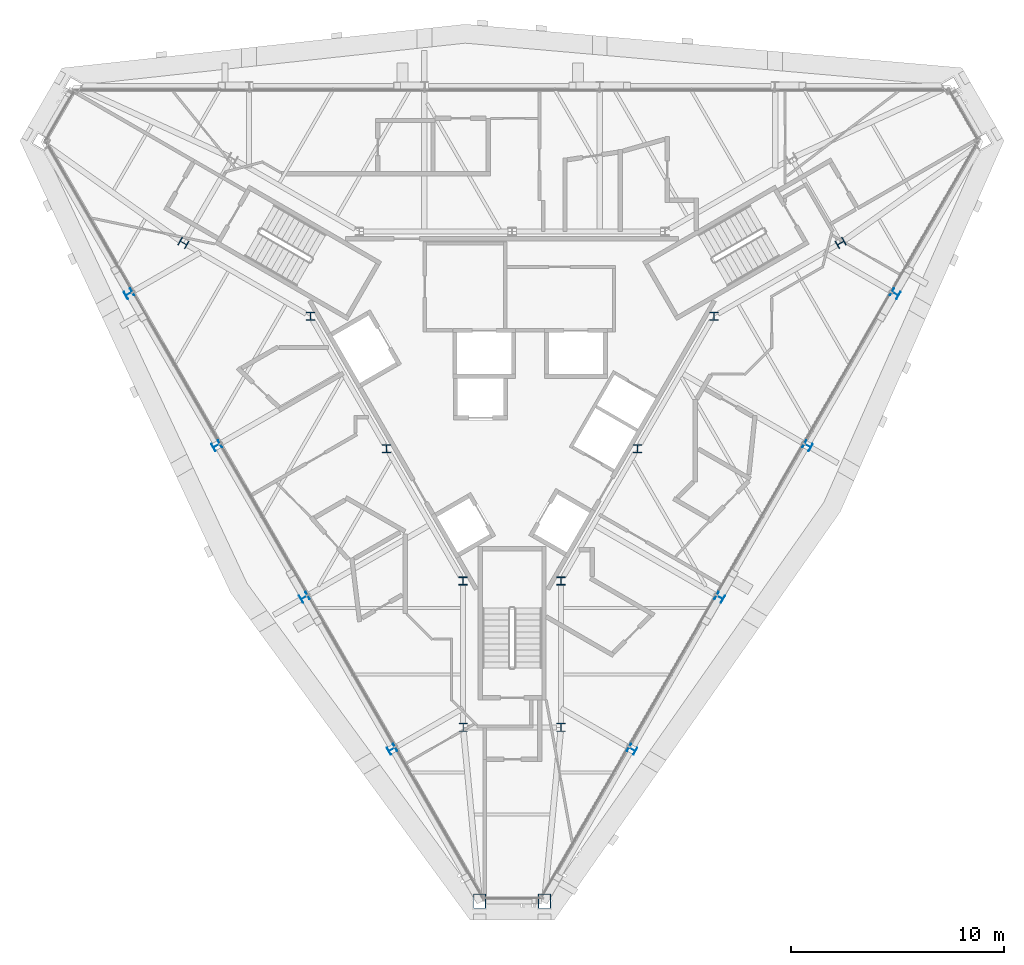
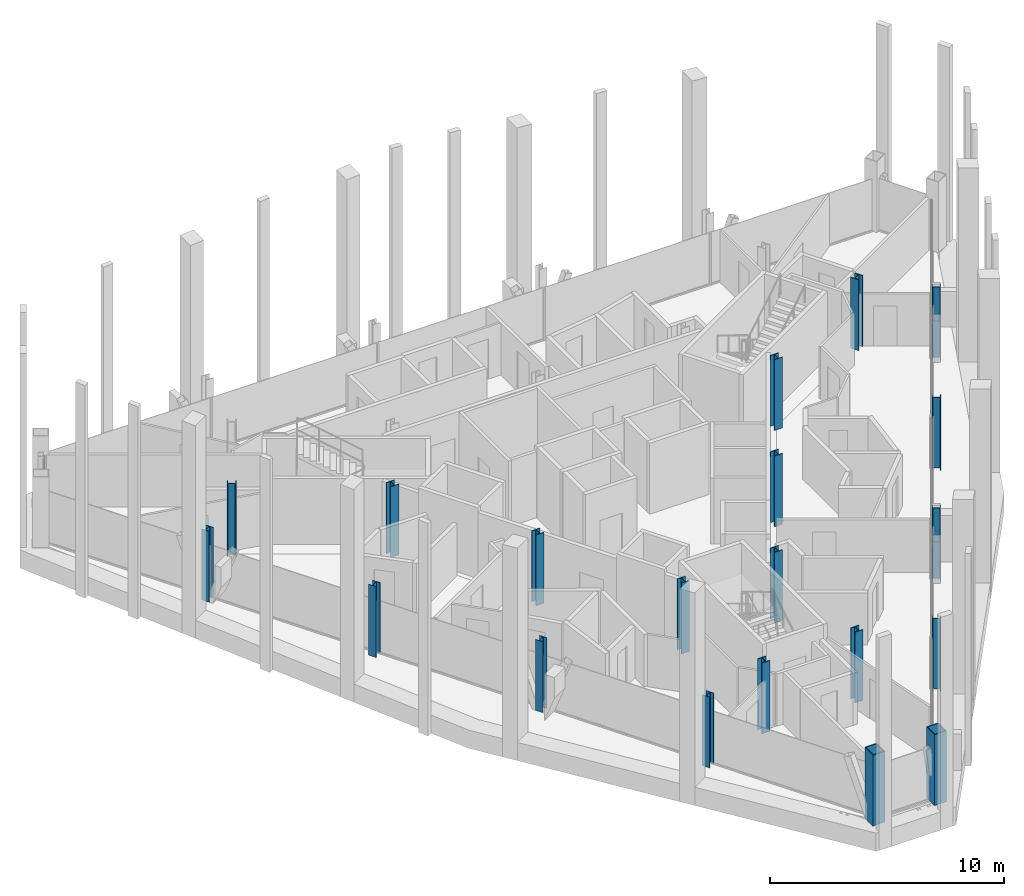
# One storey, part 1 of 13: 20 columns.
"""IFC4 building model written with IfcOpenShell, lengths in metres."""

from ifc_helpers import new_model, si_unit, direction, frame, origin, origin_2d, place, context, subcontext, project, spatial, hollow_rectangle, i_section, extrude, material, material_profile, profile_set, type_object, element, save


model = new_model("IFC4")

# Units and contexts
model_context = context("Model", 3, precision=1e-05, world=origin(), true_north=direction((0.0, 1.0)))
body_context = subcontext(model_context, "Body", "Model", "MODEL_VIEW")
ifc_project = project(units=[si_unit("LENGTHUNIT", "METRE"), si_unit("AREAUNIT", "SQUARE_METRE"), si_unit("VOLUMEUNIT", "CUBIC_METRE"), si_unit("PLANEANGLEUNIT", "RADIAN"), si_unit("MASSUNIT", "GRAM", prefix="KILO")], contexts=[model_context])

# Site, building, storey
site_placement = place(None, origin())
site = spatial("IfcSite", under=ifc_project, at=site_placement, CompositionType="ELEMENT")
building_placement = place(site_placement, origin())
building = spatial("IfcBuilding", under=site, at=building_placement, Name="Verrane Prism Tower", CompositionType="ELEMENT")
storey_placement = place(building_placement, frame((0.0, 0.0, 286.199951171875)))
storey = spatial("IfcBuildingStorey", under=building, at=storey_placement, Name="L72", CompositionType="ELEMENT", Elevation=286.199951171875)

# Columns
ifc_material_1 = material(Name="Steel A992", Category="steel")
ifc_material_profile_1 = material_profile(ifc_material_1, i_section(OverallWidth=0.4013671875, OverallDepth=0.398681640625, WebThickness=0.02490234375, FlangeThickness=0.03955078125, FilletRadius=0.01513671875, at=origin_2d()), Name="W14x211")
ifc_profile_set_1 = profile_set([ifc_material_profile_1], Name="Steel A992")
column_type_1 = type_object("IfcColumnType", Name="Core corner column W14x211", PredefinedType="COLUMN", material=ifc_profile_set_1)
for number, where, z_axis, x_axis, name in (
    (1, (15.43994140625, 6.260009765625, 0.0), (0.0, 0.0, 1.0), (0.5, -0.866025403784, 0.0), "Core corner column CK-NEm L72"),
    (2, (-15.43994140625, 6.260009765625, 0.0), (0.0, 0.0, 1.0), (0.5, 0.866025403784, 0.0), "Core corner column CK-NWp L72"),
    (3, (-2.300048828125, -16.5, 0.0), (0.0, 0.0, 1.0), (-1.0, 0.0, 0.0), "Core corner column CK-Sm L72"),
    (4, (2.300048828125, -16.5, 0.0), (0.0, 0.0, 1.0), (-1.0, 0.0, 0.0), "Core corner column CK-Sp L72"),
):
    element("IfcColumn", number, at=place(storey_placement, frame(where, z_axis=z_axis, x_axis=x_axis)), inside=storey, type_object=column_type_1, Name=name, PredefinedType="COLUMN", context=body_context, shape_type="SweptSolid", body=[
        extrude(i_section(OverallWidth=0.4013671875, OverallDepth=0.398681640625, WebThickness=0.02490234375, FlangeThickness=0.03955078125, FilletRadius=0.01513671875, at=origin_2d()), origin(), (0.0, 0.0, 1.0), 3.699951171875),
    ])
ifc_material_2 = material(Name="Steel A992", Category="steel")
ifc_material_profile_2 = material_profile(ifc_material_2, i_section(OverallWidth=0.398681640625, OverallDepth=0.385986328125, WebThickness=0.02099609375, FlangeThickness=0.033203125, FilletRadius=0.01513671875, at=origin_2d()), Name="W14x176")
ifc_profile_set_2 = profile_set([ifc_material_profile_2], Name="Steel A992")
column_type_2 = type_object("IfcColumnType", Name="Core side column W14x176", PredefinedType="COLUMN", material=ifc_profile_set_2)
for number, where, z_axis, x_axis, name in (
    (5, (9.47998046875, 2.820068359375, 0.0), (0.0, 0.0, 1.0), (1.0, 0.0, 0.0), "Core side column CC-NEm L72"),
    (6, (-9.47998046875, 2.820068359375, 0.0), (0.0, 0.0, 1.0), (1.0, 0.0, 0.0), "Core side column CC-NWp L72"),
    (7, (-5.889892578125, -3.39990234375, 0.0), (0.0, 0.0, 1.0), (1.0, 0.0, 0.0), "Core side column CC-SW0 L72"),
    (8, (-2.300048828125, -9.6201171875, 0.0), (0.0, 0.0, 1.0), (1.0, 0.0, 0.0), "Core side column CC-Sm L72"),
    (9, (2.300048828125, -9.6201171875, 0.0), (0.0, 0.0, 1.0), (1.0, 0.0, 0.0), "Core side column CC-Sp L72"),
    (10, (5.889892578125, -3.39990234375, 0.0), (0.0, 0.0, 1.0), (1.0, 0.0, 0.0), "Core side column CC-SE0 L72"),
):
    element("IfcColumn", number, at=place(storey_placement, frame(where, z_axis=z_axis, x_axis=x_axis)), inside=storey, type_object=column_type_2, Name=name, PredefinedType="COLUMN", context=body_context, shape_type="SweptSolid", body=[
        extrude(i_section(OverallWidth=0.398681640625, OverallDepth=0.385986328125, WebThickness=0.02099609375, FlangeThickness=0.033203125, FilletRadius=0.01513671875, at=origin_2d()), origin(), (0.0, 0.0, 1.0), 3.699951171875),
    ])
ifc_material_3 = material(Name="Steel A572 Grade 50", Category="steel")
ifc_material_profile_3 = material_profile(ifc_material_3, hollow_rectangle(XDim=0.60009765625, YDim=0.699951171875, WallThickness=0.0400390625, at=origin_2d()), Name="BOX 700x600x40")
ifc_profile_set_3 = profile_set([ifc_material_profile_3], Name="Steel A572 Grade 50")
column_type_3 = type_object("IfcColumnType", Name="Megacolumn BOX 700x600x40", PredefinedType="COLUMN", material=ifc_profile_set_3)
for number, where, z_axis, x_axis, name in (
    (11, (-1.52001953125, -24.669921875, 0.0), (0.0, 0.0, 1.0), (-1.0, 0.0, 0.0), "Megacolumn MC-S.a L72"),
    (12, (1.52001953125, -24.669921875, 0.0), (0.0, 0.0, 1.0), (-1.0, 0.0, 0.0), "Megacolumn MC-S.b L72"),
):
    element("IfcColumn", number, at=place(storey_placement, frame(where, z_axis=z_axis, x_axis=x_axis)), inside=storey, type_object=column_type_3, Name=name, PredefinedType="COLUMN", context=body_context, shape_type="SweptSolid", body=[
        extrude(hollow_rectangle(XDim=0.60009765625, YDim=0.699951171875, WallThickness=0.0400390625, at=origin_2d()), origin(), (0.0, 0.0, 1.0), 3.699951171875),
    ])
ifc_material_4 = material(Name="Steel A992", Category="steel")
ifc_material_profile_4 = material_profile(ifc_material_4, i_section(OverallWidth=0.373291015625, OverallDepth=0.368408203125, WebThickness=0.014892578125, FlangeThickness=0.02392578125, FilletRadius=0.01513671875, at=origin_2d()), Name="W14x120")
ifc_profile_set_4 = profile_set([ifc_material_profile_4], Name="Steel A992")
column_type_4 = type_object("IfcColumnType", Name="Perimeter column W14x120", PredefinedType="COLUMN", material=ifc_profile_set_4)
for number, where, z_axis, x_axis, name in (
    (13, (-18.0, 3.8798828125, 0.0), (0.0, 0.0, 1.0), (-0.5, 0.866025403784, 0.0), "Perimeter column PC-SW1 L72"),
    (14, (-13.8798828125, -3.260009765625, 0.0), (0.0, 0.0, 1.0), (-0.5, 0.866025403784, 0.0), "Perimeter column PC-SW2 L72"),
    (15, (-9.760009765625, -10.389892578125, 0.0), (0.0, 0.0, 1.0), (-0.5, 0.866025403784, 0.0), "Perimeter column PC-SW3 L72"),
    (16, (-5.639892578125, -17.530029296875, 0.0), (0.0, 0.0, 1.0), (-0.5, 0.866025403784, 0.0), "Perimeter column PC-SW4 L72"),
    (17, (5.639892578125, -17.530029296875, 0.0), (0.0, 0.0, 1.0), (-0.5, -0.866025403784, 0.0), "Perimeter column PC-SE1 L72"),
    (18, (9.760009765625, -10.389892578125, 0.0), (0.0, 0.0, 1.0), (-0.5, -0.866025403784, 0.0), "Perimeter column PC-SE2 L72"),
    (19, (13.8798828125, -3.260009765625, 0.0), (0.0, 0.0, 1.0), (-0.5, -0.866025403784, 0.0), "Perimeter column PC-SE3 L72"),
    (20, (18.0, 3.8798828125, 0.0), (0.0, 0.0, 1.0), (-0.5, -0.866025403784, 0.0), "Perimeter column PC-SE4 L72"),
):
    element("IfcColumn", number, at=place(storey_placement, frame(where, z_axis=z_axis, x_axis=x_axis)), inside=storey, type_object=column_type_4, Name=name, PredefinedType="COLUMN", context=body_context, shape_type="SweptSolid", body=[
        extrude(i_section(OverallWidth=0.373291015625, OverallDepth=0.368408203125, WebThickness=0.014892578125, FlangeThickness=0.02392578125, FilletRadius=0.01513671875, at=origin_2d()), origin(), (0.0, 0.0, 1.0), 3.699951171875),
    ])

save(model, "model.ifc")
